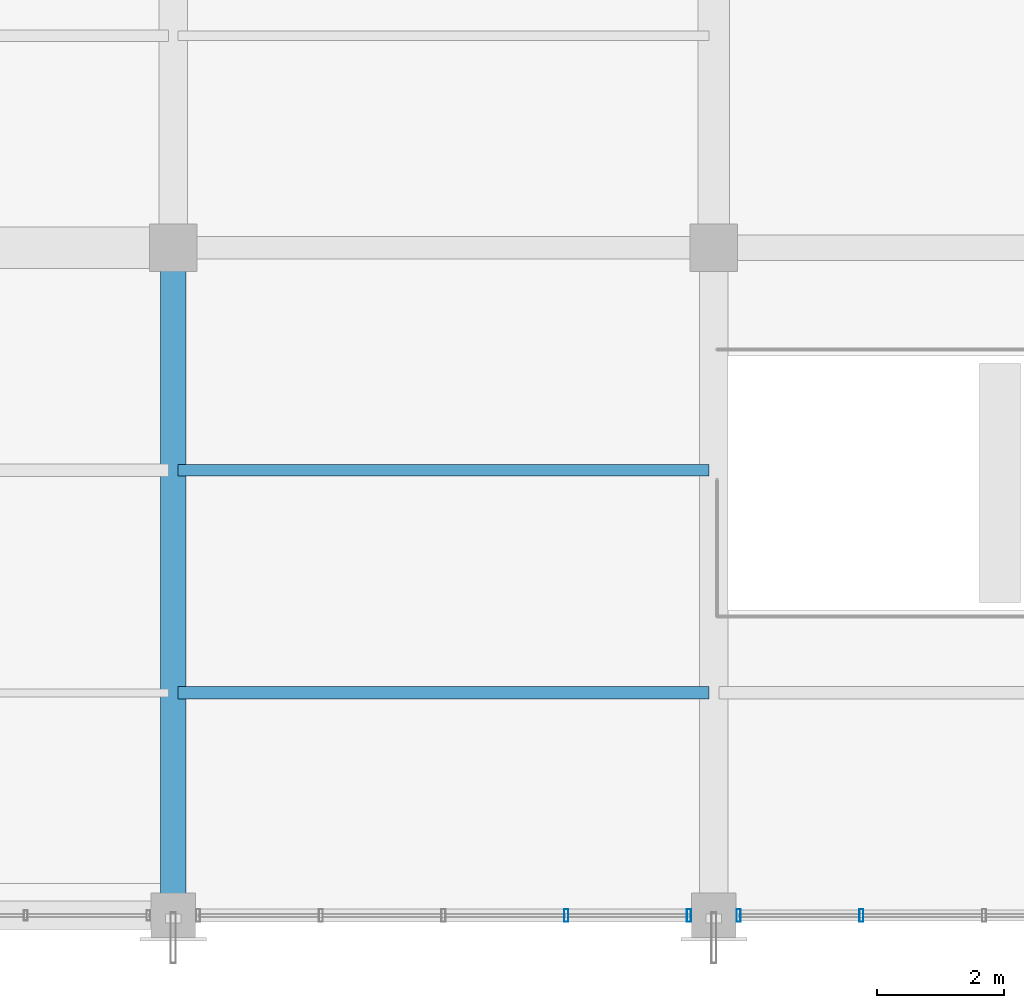
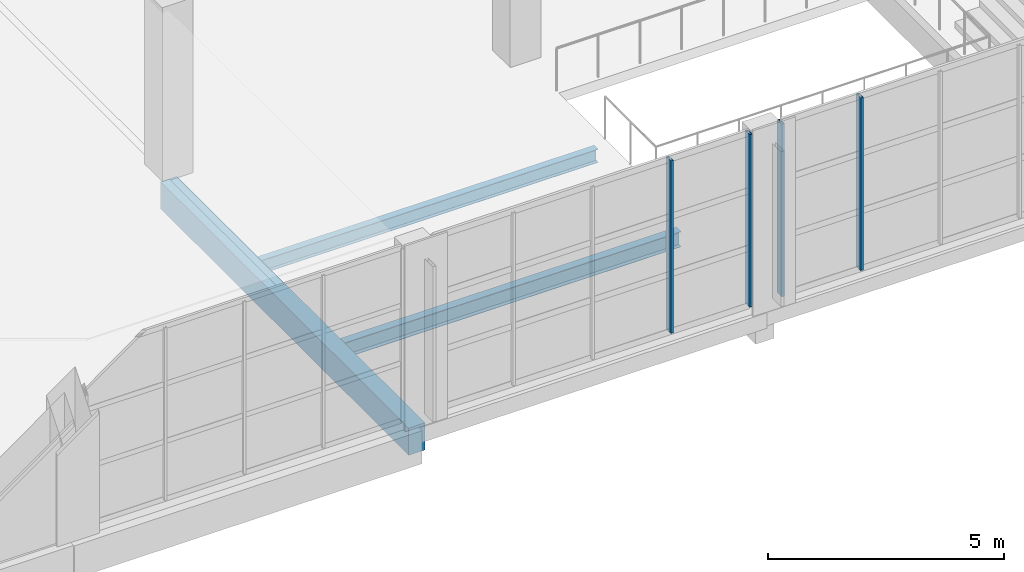
# One storey, part 14 of 112: 4 members, 3 beams, 2 elements without a shape of their own.
"""IFC4 building model written with IfcOpenShell, lengths in metres."""

from ifc_helpers import new_model, si_unit, direction, frame, origin, origin_2d, place, context, subcontext, project, spatial, rectangle, hollow_rectangle, i_section, extrude, material, material_profile, profile_set, type_object, element, aggregate, save


model = new_model("IFC4")

# Units and contexts
model_context = context("Model", 3, precision=1e-05, world=origin(), true_north=direction((0.0, 1.0)))
body_context = subcontext(model_context, "Body", "Model", "MODEL_VIEW")
ifc_project = project(units=[si_unit("LENGTHUNIT", "METRE"), si_unit("AREAUNIT", "SQUARE_METRE"), si_unit("VOLUMEUNIT", "CUBIC_METRE"), si_unit("PLANEANGLEUNIT", "RADIAN"), si_unit("MASSUNIT", "GRAM", prefix="KILO")], contexts=[model_context])

# Site, building, storey
site_placement = place(None, origin())
site = spatial("IfcSite", under=ifc_project, at=site_placement, CompositionType="ELEMENT")
building_placement = place(site_placement, origin())
building = spatial("IfcBuilding", under=site, at=building_placement, Name="Solvikara Media Centre", CompositionType="ELEMENT")
storey_placement = place(building_placement, frame((0.0, 0.0, 5.39990234375)))
storey = spatial("IfcBuildingStorey", under=building, at=storey_placement, Name="L01", CompositionType="ELEMENT", Elevation=5.39990234375)

# Beams
ifc_material_1 = material(Name="Concrete fc' 35 MPa (C35/45)", Category="concrete")
ifc_material_profile_1 = material_profile(ifc_material_1, rectangle(XDim=0.39990234375, YDim=0.699951171875, at=origin_2d()), Name="RC 400x700")
ifc_profile_set_1 = profile_set([ifc_material_profile_1], Name="Concrete fc' 35 MPa (C35/45)")
beam_type_1 = type_object("IfcBeamType", Name="BM-13", PredefinedType="SPANDREL", material=ifc_profile_set_1)
beam_1_placement = place(storey_placement, frame((34.0, 0.0, -0.60986328125), z_axis=(0.0, 1.0, 0.0), x_axis=(-1.0, 0.0, 0.0)))
element("IfcBeam", 1, at=beam_1_placement, inside=storey, type_object=beam_type_1, Name="B-L01-Y0571", PredefinedType="SPANDREL", context=body_context, shape_type="SweptSolid", body=[
    extrude(rectangle(XDim=0.39990234375, YDim=0.699951171875, at=origin_2d()), origin(), (0.0, 0.0, 1.0), 10.5),
])
ifc_material_2 = material(Name="Steel S355JR", Category="steel")
ifc_material_profile_2 = material_profile(ifc_material_2, i_section(OverallWidth=0.198974609375, OverallDepth=0.39599609375, WebThickness=0.007080078125, FlangeThickness=0.010986328125, at=origin_2d()), Name="WF 396x199x7x11")
ifc_profile_set_2 = profile_set([ifc_material_profile_2], Name="Steel S355JR")
beam_type_2 = type_object("IfcBeamType", Name="BM-37", PredefinedType="JOIST", material=ifc_profile_set_2)
beam_2_placement = place(storey_placement, frame((34.077880859375, 3.5, -0.4599609375), z_axis=(1.0, 0.0, 0.0), x_axis=(0.0, 1.0, 0.0)))
element("IfcBeam", 2, at=beam_2_placement, inside=storey, type_object=beam_type_2, Name="J-L01-0733", PredefinedType="JOIST", context=body_context, shape_type="SweptSolid", body=[
    extrude(i_section(OverallWidth=0.198974609375, OverallDepth=0.39599609375, WebThickness=0.007080078125, FlangeThickness=0.010986328125, at=origin_2d()), origin(), (0.0, 0.0, 1.0), 8.34423828125),
])
ifc_material_profile_3 = material_profile(ifc_material_2, i_section(OverallWidth=0.174072265625, OverallDepth=0.345947265625, WebThickness=0.006103515625, FlangeThickness=0.009033203125, at=origin_2d()), Name="WF 346x174x6x9")
ifc_profile_set_3 = profile_set([ifc_material_profile_3], Name="Steel S355JR")
beam_type_3 = type_object("IfcBeamType", Name="BM-38", PredefinedType="JOIST", material=ifc_profile_set_3)
beam_3_placement = place(storey_placement, frame((34.077880859375, 7.0, -0.434814453125), z_axis=(1.0, 0.0, 0.0), x_axis=(0.0, 1.0, 0.0)))
element("IfcBeam", 3, at=beam_3_placement, inside=storey, type_object=beam_type_3, Name="J-L01-0734", PredefinedType="JOIST", context=body_context, shape_type="SweptSolid", body=[
    extrude(i_section(OverallWidth=0.174072265625, OverallDepth=0.345947265625, WebThickness=0.006103515625, FlangeThickness=0.009033203125, at=origin_2d()), origin(), (0.0, 0.0, 1.0), 8.34423828125),
])

# Curtain wall, members
ifc_material_3 = material(Name="Anodised aluminium EN AW-6063", Category="aluminium")
curtain_wall_type = type_object("IfcCurtainWallType", Name="CW-04", PredefinedType="NOTDEFINED", material=ifc_material_3)
curtain_wall_1_placement = place(storey_placement, origin())
curtain_wall_1 = element("IfcCurtainWall", 4, at=curtain_wall_1_placement, inside=storey, type_object=curtain_wall_type, Name="CW-L01-V6S-1", PredefinedType="NOTDEFINED")
ifc_material_profile_4 = material_profile(ifc_material_3, hollow_rectangle(XDim=0.06494140625, YDim=0.199951171875, WallThickness=0.00390625, at=origin_2d()), Name="ALU-M 65x200x4")
ifc_profile_set_4 = profile_set([ifc_material_profile_4], Name="Anodised aluminium EN AW-6063")
member_type = type_object("IfcMemberType", Name="MF-02", PredefinedType="MULLION", material=ifc_profile_set_4)
member_1_placement = place(storey_placement, frame((40.179931640625, 0.0, 0.02001953125), z_axis=(0.0, 0.0, 1.0), x_axis=(1.0, 0.0, 0.0)))
member_1 = element("IfcMember", 5, at=member_1_placement, type_object=member_type, Name="CW-L01-V6S-1-M03", PredefinedType="MULLION", context=body_context, shape_type="SweptSolid", body=[
    extrude(hollow_rectangle(XDim=0.06494140625, YDim=0.199951171875, WallThickness=0.00390625, at=origin_2d()), origin(), (0.0, 0.0, 1.0), 4.4599609375),
])
member_2_placement = place(storey_placement, frame((42.110107421875, 0.0, 0.02001953125), z_axis=(0.0, 0.0, 1.0), x_axis=(1.0, 0.0, 0.0)))
member_2 = element("IfcMember", 6, at=member_2_placement, type_object=member_type, Name="CW-L01-V6S-1-M04", PredefinedType="MULLION", context=body_context, shape_type="SweptSolid", body=[
    extrude(hollow_rectangle(XDim=0.06494140625, YDim=0.199951171875, WallThickness=0.00390625, at=origin_2d()), origin(), (0.0, 0.0, 1.0), 4.4599609375),
])
aggregate(curtain_wall_1, [member_1, member_2])

curtain_wall_2_placement = place(storey_placement, origin())
curtain_wall_2 = element("IfcCurtainWall", 7, at=curtain_wall_2_placement, inside=storey, type_object=curtain_wall_type, Name="CW-L01-V6S-2", PredefinedType="NOTDEFINED")
member_3_placement = place(storey_placement, frame((42.889892578125, 0.0, 0.02001953125), z_axis=(0.0, 0.0, 1.0), x_axis=(1.0, 0.0, 0.0)))
member_3 = element("IfcMember", 8, at=member_3_placement, type_object=member_type, Name="CW-L01-V6S-2-M00", PredefinedType="MULLION", context=body_context, shape_type="SweptSolid", body=[
    extrude(hollow_rectangle(XDim=0.06494140625, YDim=0.199951171875, WallThickness=0.00390625, at=origin_2d()), origin(), (0.0, 0.0, 1.0), 4.4599609375),
])
member_4_placement = place(storey_placement, frame((44.820068359375, 0.0, 0.02001953125), z_axis=(0.0, 0.0, 1.0), x_axis=(1.0, 0.0, 0.0)))
member_4 = element("IfcMember", 9, at=member_4_placement, type_object=member_type, Name="CW-L01-V6S-2-M01", PredefinedType="MULLION", context=body_context, shape_type="SweptSolid", body=[
    extrude(hollow_rectangle(XDim=0.06494140625, YDim=0.199951171875, WallThickness=0.00390625, at=origin_2d()), origin(), (0.0, 0.0, 1.0), 4.4599609375),
])
aggregate(curtain_wall_2, [member_3, member_4])

save(model, "model.ifc")
